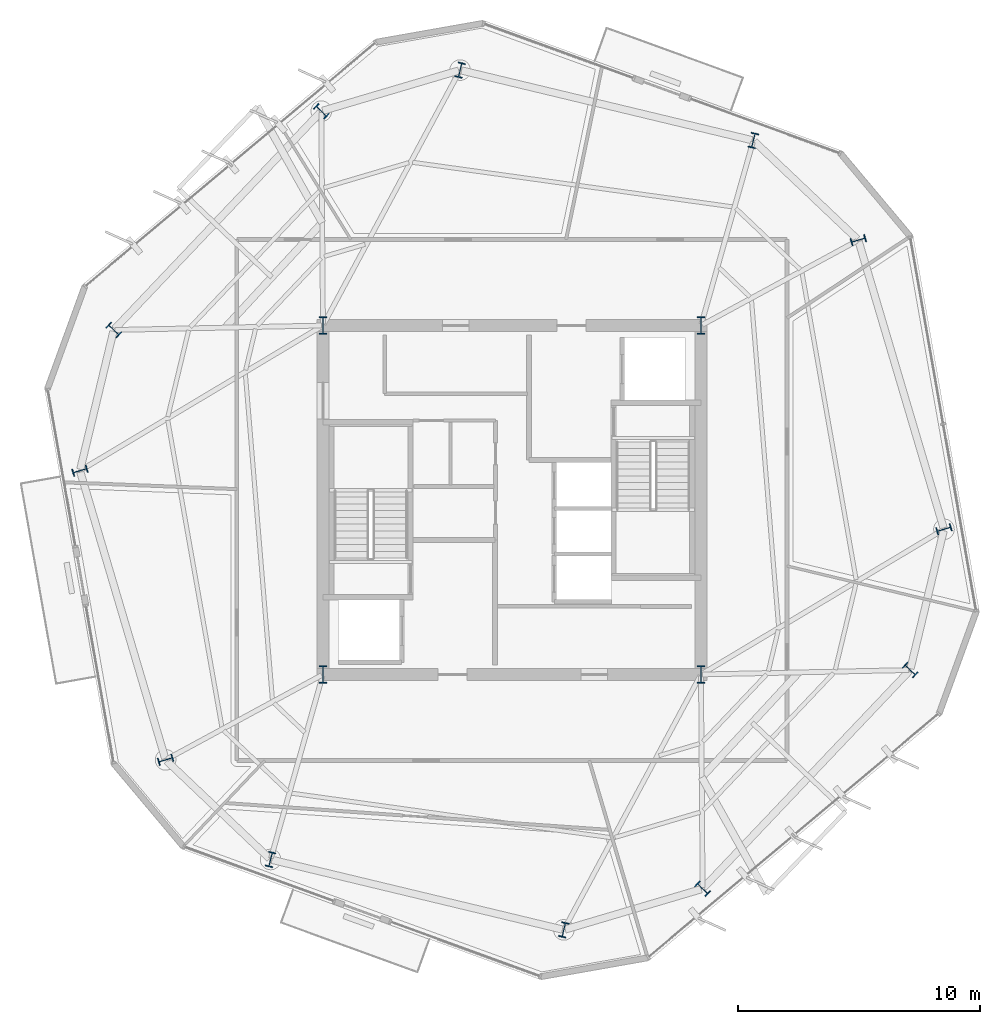
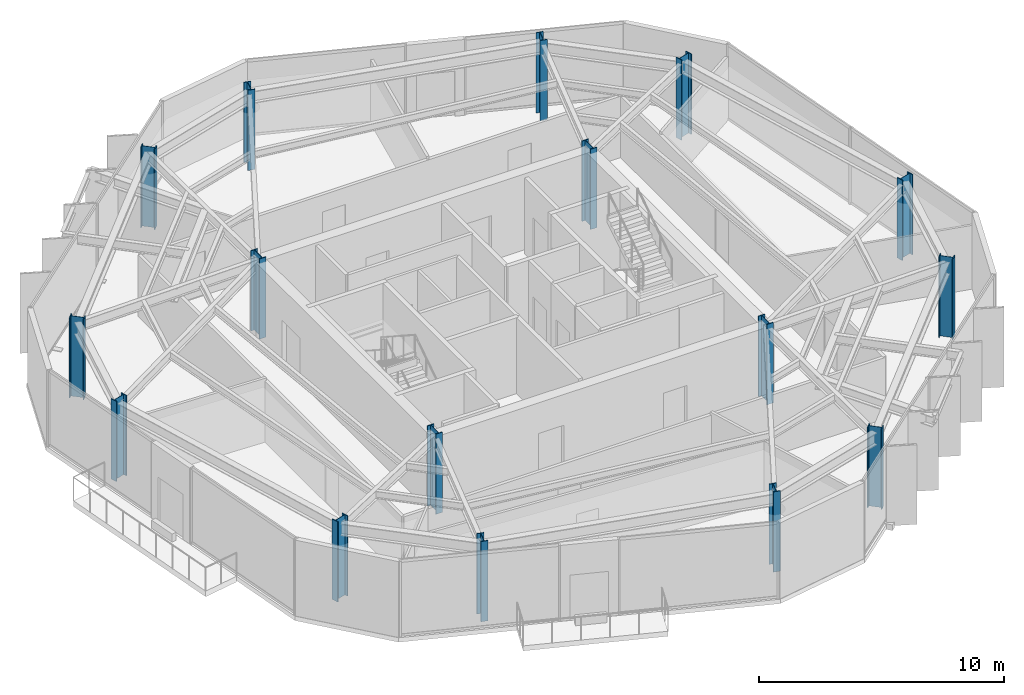
# One storey, part 1 of 11: 16 columns.
"""IFC4 building model written with IfcOpenShell, lengths in metres."""

import ifcopenshell
import ifcopenshell.guid

model = None  # the IFC model being written
_history = None  # IfcOwnerHistory: only IFC2X3 demands one
_inside = {}  # id of a spatial element -> (the spatial element, [elements in it])
_under = {}  # id of a project, library or spatial element -> (it, [spatial elements below it])
_declared = {}  # id of a project -> (the project, [libraries it declares])
_typed = {}  # id of a type object -> (the type object, [elements of that type])
_made_of = {}  # id of a material, layer set ... -> (it, [elements and type objects made of it])


def new_model(schema):
    """Start an empty IFC model of exactly this schema.

    Asked for "IFC4X3", IfcOpenShell would pick the latest addendum, in which some entities
    have other attributes; the version numbers below select the first issue.
    IFC2X3 requires an IfcOwnerHistory on every rooted entity: one is made here for all.
    """
    global model, _history
    if schema == "IFC4X3":
        model = ifcopenshell.file(schema_version=(4, 3, 0, 0))
    else:
        model = ifcopenshell.file(schema=schema)
    _inside.clear()
    _under.clear()
    _declared.clear()
    _typed.clear()
    _made_of.clear()
    _history = None
    if model.schema == "IFC2X3":
        org = make("IfcOrganization", Name="unknown")
        user = make(
            "IfcPersonAndOrganization",
            ThePerson=make("IfcPerson", FamilyName="unknown"),
            TheOrganization=org,
        )
        app = make(
            "IfcApplication",
            ApplicationDeveloper=org,
            Version="unknown",
            ApplicationFullName="unknown",
            ApplicationIdentifier="unknown",
        )
        _history = make(
            "IfcOwnerHistory",
            OwningUser=user,
            OwningApplication=app,
            ChangeAction="ADDED",
            CreationDate=0,
        )
    return model


def make(cls, **values):
    """One entity of the class cls with the attributes given. An attribute that is None is left unset."""
    return model.create_entity(
        cls, **{name: value for name, value in values.items() if value is not None}
    )


def rooted(cls, **values):
    """An entity with a GlobalId (a new one), such as an element, a storey or a relation."""
    return make(cls, GlobalId=ifcopenshell.guid.new(), OwnerHistory=_history, **values)


def si_unit(unit_type, name, prefix=None):
    """IfcSIUnit, for example si_unit("LENGTHUNIT", "METRE", prefix="MILLI")."""
    return make("IfcSIUnit", UnitType=unit_type, Prefix=prefix, Name=name)


def assignment(units):
    """IfcUnitAssignment: the units of a project."""
    return None if units is None else make("IfcUnitAssignment", Units=units)


def point(xyz):
    """IfcCartesianPoint."""
    return None if xyz is None else make("IfcCartesianPoint", Coordinates=xyz)


def direction(xyz):
    """IfcDirection."""
    return None if xyz is None else make("IfcDirection", DirectionRatios=xyz)


def frame(location, z_axis=None, x_axis=None):
    """IfcAxis2Placement3D, a coordinate frame: its origin and axes. An axis left out is left unset."""
    return make(
        "IfcAxis2Placement3D",
        Location=point(location),
        Axis=direction(z_axis),
        RefDirection=direction(x_axis),
    )


def frame_2d(location, x_axis=None):
    """IfcAxis2Placement2D, a coordinate frame in the plane: its origin and x axis."""
    return make(
        "IfcAxis2Placement2D", Location=point(location), RefDirection=direction(x_axis)
    )


def origin():
    """The frame at (0, 0, 0) with its axes left unset."""
    return frame((0.0, 0.0, 0.0))


def origin_2d():
    """The frame at (0, 0) in the plane with its x axis left unset."""
    return frame_2d((0.0, 0.0))


def place(relative_to, where):
    """IfcLocalPlacement: puts the frame where relative to a parent placement (None: the world)."""
    return make(
        "IfcLocalPlacement", PlacementRelTo=relative_to, RelativePlacement=where
    )


def context(
    kind, dimensions, precision=None, world=None, true_north=None, identifier=None
):
    """IfcGeometricRepresentationContext, for example the 3D "Model" context."""
    return make(
        "IfcGeometricRepresentationContext",
        ContextIdentifier=identifier,
        ContextType=kind,
        CoordinateSpaceDimension=dimensions,
        Precision=precision,
        WorldCoordinateSystem=world,
        TrueNorth=true_north,
    )


def subcontext(parent, identifier, kind, view, scale=None):
    """IfcGeometricRepresentationSubContext, for example "Body" below "Model"."""
    return make(
        "IfcGeometricRepresentationSubContext",
        ContextIdentifier=identifier,
        ContextType=kind,
        ParentContext=parent,
        TargetScale=scale,
        TargetView=view,
    )


def project(units=None, contexts=None):
    """IfcProject with its units and contexts."""
    return rooted(
        "IfcProject",
        Name="project",
        RepresentationContexts=contexts,
        UnitsInContext=assignment(units),
    )


def spatial(cls, under=None, at=None, **own):
    """A site, building, storey or space (cls), placed at a placement, below another one or the project."""
    s = rooted(cls, ObjectPlacement=at, **own)
    if under is not None:
        _under.setdefault(under.id(), (under, []))[1].append(s)
    return s


def profile(cls, at=None, kind="AREA", **sizes):
    """A parametric profile (cls). Its sizes go by their IFC names, for example OverallWidth=200.0."""
    return make(cls, ProfileType=kind, Position=at, **sizes)


def i_section(**sizes):
    """IfcIShapeProfileDef."""
    return profile("IfcIShapeProfileDef", **sizes)


def extrude(swept, where, along, depth):
    """IfcExtrudedAreaSolid: the profile swept, set in the frame where, extruded along a direction by depth."""
    return make(
        "IfcExtrudedAreaSolid",
        SweptArea=swept,
        Position=where,
        ExtrudedDirection=direction(along),
        Depth=depth,
    )


def shape(context_of_items, identifier, shape_type, items):
    """IfcShapeRepresentation: the items that make up one representation, for example the "Body"."""
    return make(
        "IfcShapeRepresentation",
        ContextOfItems=context_of_items,
        RepresentationIdentifier=identifier,
        RepresentationType=shape_type,
        Items=items,
    )


def material(Name=None, Category=None):
    """IfcMaterial."""
    return make("IfcMaterial", Name=Name, Category=Category)


def material_profile(
    of_material, cross_section, Name=None, Category=None, Priority=None
):
    """IfcMaterialProfile: a cross section and its material."""
    return make(
        "IfcMaterialProfile",
        Name=Name,
        Material=of_material,
        Profile=cross_section,
        Priority=Priority,
        Category=Category,
    )


def profile_set(profiles, Name=None, composite=None):
    """IfcMaterialProfileSet."""
    return make(
        "IfcMaterialProfileSet",
        Name=Name,
        MaterialProfiles=profiles,
        CompositeProfile=composite,
    )


def made_of(thing, what):
    """Note that an element or type object is made of a material, layer set ...; save() writes the relation."""
    if what is not None:
        _made_of.setdefault(what.id(), (what, []))[1].append(thing)
    return thing


def type_object(cls, material=None, **own):
    """A type object (cls), such as IfcWallType, which elements share."""
    return made_of(rooted(cls, **own), material)


def element(
    cls,
    number,
    at=None,
    inside=None,
    cuts=None,
    type_object=None,
    material=None,
    context=None,
    identifier="Body",
    shape_type=None,
    held_by="IfcProductDefinitionShape",
    body=None,
    shapes=None,
    **own,
):
    """One element of the class cls, such as IfcWall. Its Tag is "e" and its number.

    at: its placement. inside: the storey or other place that contains it. cuts: it is an
    opening in that element (IfcRelVoidsElement). A single representation is given by context,
    identifier, shape_type and body (its items); several are given by shapes. held_by: the class
    of the entity that holds the representations. save() writes the other relations.
    """
    e = rooted(cls, Tag="e%d" % number, ObjectPlacement=at, **own)
    if body is not None:
        shapes = [shape(context, identifier, shape_type, body)]
    if shapes is not None:
        e.Representation = make(held_by, Representations=shapes)
    if inside is not None:
        _inside.setdefault(inside.id(), (inside, []))[1].append(e)
    if cuts is not None:
        rooted(
            "IfcRelVoidsElement", RelatingBuildingElement=cuts, RelatedOpeningElement=e
        )
    if type_object is not None:
        _typed.setdefault(type_object.id(), (type_object, []))[1].append(e)
    return made_of(e, material)


def aggregate(whole, parts):
    """IfcRelAggregates: a whole, such as a stair, and the parts it consists of."""
    return rooted("IfcRelAggregates", RelatingObject=whole, RelatedObjects=parts)


def save(model, path):
    """Write the relations noted so far, then the file.

    IfcRelAggregates (storeys below a building ...), IfcRelContainedInSpatialStructure (elements
    in a storey), IfcRelDefinesByType, IfcRelAssociatesMaterial and IfcRelDeclares: one each for
    every whole, place, type object, material and project.
    """
    for whole, parts in _under.values():
        aggregate(whole, parts)
    for where, things in _inside.values():
        rooted(
            "IfcRelContainedInSpatialStructure",
            RelatedElements=things,
            RelatingStructure=where,
        )
    for kind, things in _typed.values():
        rooted("IfcRelDefinesByType", RelatedObjects=things, RelatingType=kind)
    for what, things in _made_of.values():
        rooted("IfcRelAssociatesMaterial", RelatedObjects=things, RelatingMaterial=what)
    for by, libraries in _declared.values():
        rooted("IfcRelDeclares", RelatingContext=by, RelatedDefinitions=libraries)
    model.write(path)


model = new_model("IFC4")

# Units and contexts
model_context = context("Model", 3, precision=1e-05, world=origin(), true_north=direction((0.0, 1.0)))
body_context = subcontext(model_context, "Body", "Model", "MODEL_VIEW")
ifc_project = project(units=[si_unit("LENGTHUNIT", "METRE"), si_unit("AREAUNIT", "SQUARE_METRE"), si_unit("VOLUMEUNIT", "CUBIC_METRE"), si_unit("PLANEANGLEUNIT", "RADIAN"), si_unit("MASSUNIT", "GRAM", prefix="KILO")], contexts=[model_context])

# Site, building, storey
site_placement = place(None, origin())
site = spatial("IfcSite", under=ifc_project, at=site_placement, CompositionType="ELEMENT")
building_placement = place(site_placement, origin())
building = spatial("IfcBuilding", under=site, at=building_placement, Name="Kranzbogen Civic Tower", CompositionType="ELEMENT")
storey_placement = place(building_placement, frame((0.0, 0.0, 184.800048828125)))
storey = spatial("IfcBuildingStorey", under=building, at=storey_placement, Name="L44", CompositionType="ELEMENT", Elevation=184.800048828125)

# Columns
ifc_material_1 = material(Name="Steel S355", Category="steel")
ifc_material_profile_1 = material_profile(ifc_material_1, i_section(OverallWidth=0.304931640625, OverallDepth=0.6201171875, WebThickness=0.02099609375, FlangeThickness=0.0400390625, at=origin_2d()), Name="HEM 600")
ifc_profile_set_1 = profile_set([ifc_material_profile_1], Name="Steel S355")
column_type_1 = type_object("IfcColumnType", Name="Structural Column HEM 600", PredefinedType="COLUMN", material=ifc_profile_set_1)
for number, where, z_axis, x_axis, name in (
    (1, (34.9609375, 39.8349609375, 0.0), (0.0, 0.0, 1.0), (-0.972369920398, 0.233445363856, 0.0), "L44 tower perimeter tube column 01"),
    (2, (22.860107421875, 42.739990234375, 0.0), (0.0, 0.0, 1.0), (-0.972369920398, 0.233445363856, 0.0), "L44 tower perimeter tube column 02"),
    (3, (17.133056640625, 41.0439453125, 0.0), (0.0, 0.0, 1.0), (0.688354575694, 0.725374371012, 0.0), "L44 tower perimeter tube column 03"),
    (4, (8.56689453125, 32.01611328125, 0.0), (0.0, 0.0, 1.0), (0.688354575694, 0.725374371012, 0.0), "L44 tower perimeter tube column 04"),
    (5, (7.172119140625, 26.208984375, 0.0), (0.0, 0.0, 1.0), (-0.284015344704, 0.958819734868, 0.0), "L44 tower perimeter tube column 05"),
    (6, (10.70703125, 14.27587890625, 0.0), (0.0, 0.0, 1.0), (-0.284015344704, 0.958819734868, 0.0), "L44 tower perimeter tube column 06"),
    (7, (15.0390625, 10.1650390625, 0.0), (0.0, 0.0, 1.0), (-0.972369920398, 0.233445363856, 0.0), "L44 tower perimeter tube column 07"),
    (8, (27.139892578125, 7.260009765625, 0.0), (0.0, 0.0, 1.0), (-0.972369920398, 0.233445363856, 0.0), "L44 tower perimeter tube column 08"),
    (9, (32.866943359375, 8.9560546875, 0.0), (0.0, 0.0, 1.0), (0.688354575694, 0.725374371012, 0.0), "L44 tower perimeter tube column 09"),
    (10, (41.43310546875, 17.98388671875, 0.0), (0.0, 0.0, 1.0), (0.688354575694, 0.725374371012, 0.0), "L44 tower perimeter tube column 10"),
    (11, (42.827880859375, 23.791015625, 0.0), (0.0, 0.0, 1.0), (-0.284015344704, 0.958819734868, 0.0), "L44 tower perimeter tube column 11"),
    (12, (39.29296875, 35.72412109375, 0.0), (0.0, 0.0, 1.0), (-0.284015344704, 0.958819734868, 0.0), "L44 tower perimeter tube column 12"),
):
    element("IfcColumn", number, at=place(storey_placement, frame(where, z_axis=z_axis, x_axis=x_axis)), inside=storey, type_object=column_type_1, Name=name, PredefinedType="COLUMN", context=body_context, shape_type="SweptSolid", body=[
        extrude(i_section(OverallWidth=0.304931640625, OverallDepth=0.6201171875, WebThickness=0.02099609375, FlangeThickness=0.0400390625, at=origin_2d()), origin(), (0.0, 0.0, 1.0), 4.0),
    ])
ifc_material_2 = material(Name="Steel S460", Category="steel")
ifc_material_profile_2 = material_profile(ifc_material_2, i_section(OverallWidth=0.303955078125, OverallDepth=0.716064453125, WebThickness=0.02099609375, FlangeThickness=0.0400390625, at=origin_2d()), Name="HEM 700")
ifc_profile_set_2 = profile_set([ifc_material_profile_2], Name="Steel S460")
column_type_2 = type_object("IfcColumnType", Name="Structural Column HEM 700", PredefinedType="COLUMN", material=ifc_profile_set_2)
for number, where, z_axis, x_axis, name in (
    (13, (17.199951171875, 17.800048828125, 0.0), (0.0, 0.0, 1.0), (1.0, 0.0, 0.0), "L44 composite core corner column 1"),
    (14, (32.800048828125, 17.800048828125, 0.0), (0.0, 0.0, 1.0), (1.0, 0.0, 0.0), "L44 composite core corner column 2"),
    (15, (32.800048828125, 32.199951171875, 0.0), (0.0, 0.0, 1.0), (1.0, 0.0, 0.0), "L44 composite core corner column 3"),
    (16, (17.199951171875, 32.199951171875, 0.0), (0.0, 0.0, 1.0), (1.0, 0.0, 0.0), "L44 composite core corner column 4"),
):
    element("IfcColumn", number, at=place(storey_placement, frame(where, z_axis=z_axis, x_axis=x_axis)), inside=storey, type_object=column_type_2, Name=name, PredefinedType="COLUMN", context=body_context, shape_type="SweptSolid", body=[
        extrude(i_section(OverallWidth=0.303955078125, OverallDepth=0.716064453125, WebThickness=0.02099609375, FlangeThickness=0.0400390625, at=origin_2d()), origin(), (0.0, 0.0, 1.0), 4.0),
    ])

save(model, "model.ifc")
